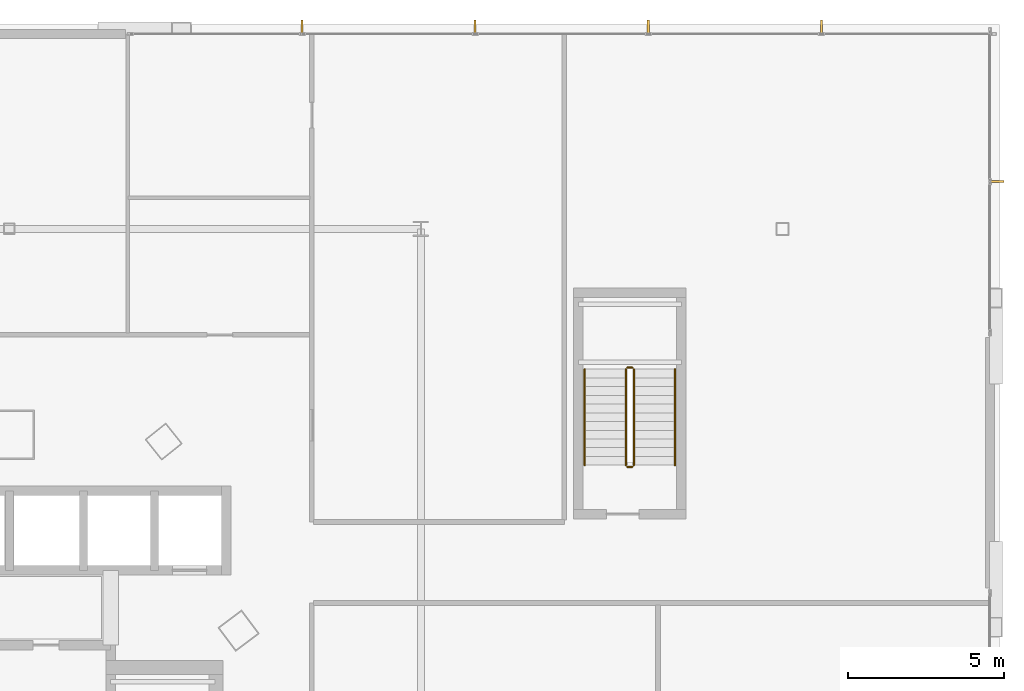
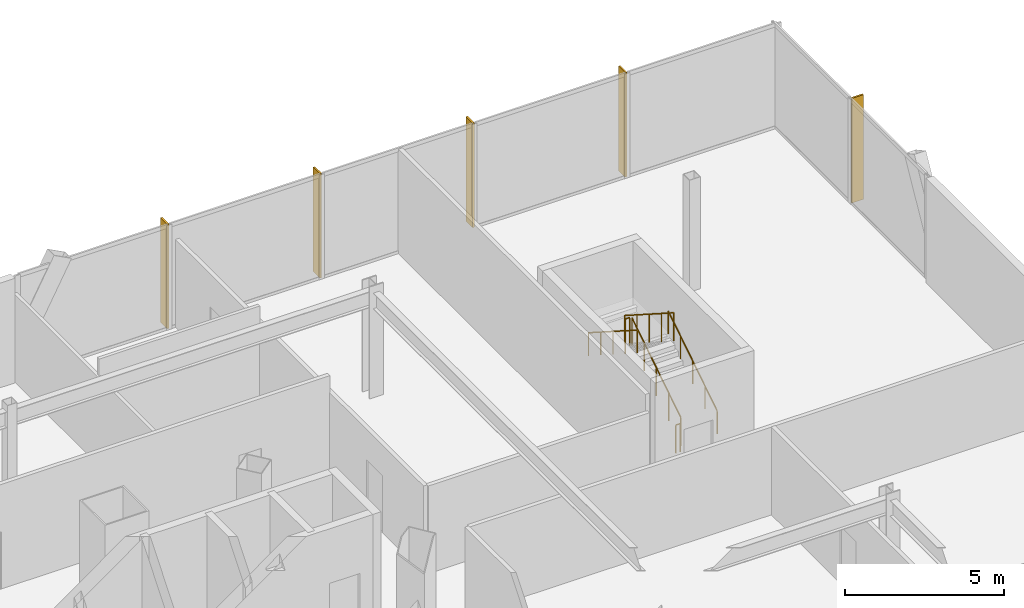
# One storey, part 42 of 42: 6 railings, 5 shading devices.
"""IFC4 building model written with IfcOpenShell, lengths in metres."""

from ifc_helpers import new_model, si_unit, direction, frame, origin, origin_2d, place, context, subcontext, project, spatial, rectangle, circle, extrude, material, layer, layer_set, type_object, element, save


model = new_model("IFC4")

# Units and contexts
model_context = context("Model", 3, precision=1e-05, world=origin(), true_north=direction((0.0, 1.0)))
body_context = subcontext(model_context, "Body", "Model", "MODEL_VIEW")
ifc_project = project(units=[si_unit("LENGTHUNIT", "METRE"), si_unit("AREAUNIT", "SQUARE_METRE"), si_unit("VOLUMEUNIT", "CUBIC_METRE"), si_unit("PLANEANGLEUNIT", "RADIAN"), si_unit("MASSUNIT", "GRAM", prefix="KILO")], contexts=[model_context])

# Site, building, storey
site_placement = place(None, origin())
site = spatial("IfcSite", under=ifc_project, at=site_placement, CompositionType="ELEMENT")
building_placement = place(site_placement, origin())
building = spatial("IfcBuilding", under=site, at=building_placement, Name="Orvanel Arch Residences", CompositionType="ELEMENT")
storey_placement = place(building_placement, frame((0.0, 0.0, 5.5)))
storey = spatial("IfcBuildingStorey", under=building, at=storey_placement, Name="L01", CompositionType="ELEMENT", Elevation=5.5)

# Shading devices
ifc_material_1 = material(Name="Bronze-anodised aluminium AA6063-T6", Category="aluminium")
ifc_layer = layer(ifc_material_1, 0.06494140625)
ifc_layer_set = layer_set([ifc_layer], Name="Bronze-anodised aluminium AA6063-T6")
shading_device_type = type_object("IfcShadingDeviceType", Name="FIN-BRZ-420", PredefinedType="USERDEFINED", material=ifc_layer_set)
for number, where, z_axis, x_axis, name in (
    (1, (59.0400390625, 54.489013671875, 0.0), (0.0, 0.0, 1.0), (0.0, 1.0, 0.0), "L01 Anodised Bronze Mullion FIN 01"),
    (2, (53.489990234375, 54.489013671875, 0.0), (0.0, 0.0, 1.0), (0.0, 1.0, 0.0), "L01 Anodised Bronze Mullion FIN 02"),
    (3, (47.93994140625, 54.489013671875, 0.0), (0.0, 0.0, 1.0), (0.0, 1.0, 0.0), "L01 Anodised Bronze Mullion FIN 03"),
    (4, (42.389892578125, 54.489013671875, 0.0), (0.0, 0.0, 1.0), (0.0, 1.0, 0.0), "L01 Anodised Bronze Mullion FIN 04"),
    (5, (64.68994140625, 49.514892578125, 0.0), (0.0, 0.0, 1.0), (1.0, 0.0, 0.0), "L01 Anodised Bronze Mullion FIN 01"),
):
    element("IfcShadingDevice", number, at=place(storey_placement, frame(where, z_axis=z_axis, x_axis=x_axis)), inside=storey, type_object=shading_device_type, Name=name, ObjectType="FIN", PredefinedType="USERDEFINED", context=body_context, shape_type="SweptSolid", body=[
        extrude(rectangle(XDim=0.419921875, YDim=0.06494140625, at=origin_2d()), origin(), (0.0, 0.0, 1.0), 4.02001953125),
    ])

# Railings
ifc_material_2 = material(Name="Structural steel AS/NZS 1163 C350L0 (Grade 350)", Category="steel")
railing_type_1 = type_object("IfcRailingType", Name="RL-STAIR-GUARD", PredefinedType="GUARDRAIL", material=ifc_material_2)
railing_1_placement = place(storey_placement, frame((53.030029296875, 40.419921875, 0.17919921875)))
element("IfcRailing", 6, at=railing_1_placement, inside=storey, type_object=railing_type_1, Name="L01 ST-4 stair guard 1", PredefinedType="GUARDRAIL", context=body_context, shape_type="SweptSolid", body=[
    extrude(circle(Radius=0.02392578125, at=origin_2d()), frame((0.0, 0.001220703125, 1.076904296875), z_axis=(0.0, 0.842339298311, 0.538947591627), x_axis=(-1.0, 0.0, 0.0)), (0.0, 0.0, 1.0), 3.653564453125),
    extrude(circle(Radius=0.02099609375, at=origin_2d()), origin(), (0.0, 0.0, 1.0), 1.050048828125),
    extrude(circle(Radius=0.02099609375, at=origin_2d()), frame((0.0, 0.77001953125, 0.49267578125)), (0.0, 0.0, 1.0), 1.050048828125),
    extrude(circle(Radius=0.02099609375, at=origin_2d()), frame((0.0, 1.5400390625, 0.9853515625)), (0.0, 0.0, 1.0), 1.050048828125),
    extrude(circle(Radius=0.02099609375, at=origin_2d()), frame((0.0, 2.31005859375, 1.47802734375)), (0.0, 0.0, 1.0), 1.050048828125),
    extrude(circle(Radius=0.02099609375, at=origin_2d()), frame((0.0, 3.080078125, 1.970703125)), (0.0, 0.0, 1.0), 1.050048828125),
])
railing_2_placement = place(storey_placement, frame((52.97998046875, 43.550048828125, 2.14990234375)))
element("IfcRailing", 7, at=railing_2_placement, inside=storey, type_object=railing_type_1, Name="L01 ST-4 stair guard 2", PredefinedType="GUARDRAIL", context=body_context, shape_type="SweptSolid", body=[
    extrude(circle(Radius=0.02392578125, at=origin_2d()), frame((-0.00146484375, 0.0, 1.076171875), z_axis=(-1.0, 0.0, 0.0), x_axis=(0.0, -1.0, 0.0)), (0.0, 0.0, 1.0), 0.156982421875),
    extrude(circle(Radius=0.02099609375, at=origin_2d()), origin(), (0.0, 0.0, 1.0), 1.050048828125),
    extrude(circle(Radius=0.02099609375, at=origin_2d()), frame((-0.159912109375, 0.0, 0.0)), (0.0, 0.0, 1.0), 1.050048828125),
])
railing_3_placement = place(storey_placement, frame((52.77001953125, 43.5, 2.3291015625)))
element("IfcRailing", 8, at=railing_3_placement, inside=storey, type_object=railing_type_1, Name="L01 ST-4 stair guard 3", PredefinedType="GUARDRAIL", context=body_context, shape_type="SweptSolid", body=[
    extrude(circle(Radius=0.02392578125, at=origin_2d()), frame((0.0, -0.001220703125, 1.076904296875), z_axis=(0.0, -0.842308987159, 0.53899496301), x_axis=(1.0, 0.0, 0.0)), (0.0, 0.0, 1.0), 3.65380859375),
    extrude(circle(Radius=0.02099609375, at=origin_2d()), origin(), (0.0, 0.0, 1.0), 1.050048828125),
    extrude(circle(Radius=0.02099609375, at=origin_2d()), frame((0.0, -0.77001953125, 0.49267578125)), (0.0, 0.0, 1.0), 1.050048828125),
    extrude(circle(Radius=0.02099609375, at=origin_2d()), frame((0.0, -1.5400390625, 0.9853515625)), (0.0, 0.0, 1.0), 1.050048828125),
    extrude(circle(Radius=0.02099609375, at=origin_2d()), frame((0.0, -2.31005859375, 1.478271484375)), (0.0, 0.0, 1.0), 1.050048828125),
    extrude(circle(Radius=0.02099609375, at=origin_2d()), frame((0.0, -3.080078125, 1.970947265625)), (0.0, 0.0, 1.0), 1.050048828125),
])
railing_4_placement = place(storey_placement, frame((52.97998046875, 40.3701171875, 0.0)))
element("IfcRailing", 9, at=railing_4_placement, inside=storey, type_object=railing_type_1, Name="L01 ST-4 stair guard 4", PredefinedType="GUARDRAIL", context=body_context, shape_type="SweptSolid", body=[
    extrude(circle(Radius=0.02392578125, at=origin_2d()), frame((-0.00146484375, 0.0, 1.076171875), z_axis=(-1.0, 0.0, 0.0), x_axis=(0.0, -1.0, 0.0)), (0.0, 0.0, 1.0), 0.156982421875),
    extrude(circle(Radius=0.02099609375, at=origin_2d()), origin(), (0.0, 0.0, 1.0), 1.050048828125),
    extrude(circle(Radius=0.02099609375, at=origin_2d()), frame((-0.159912109375, 0.0, 0.0)), (0.0, 0.0, 1.0), 1.050048828125),
])
railing_type_2 = type_object("IfcRailingType", Name="RL-STAIR-HAND", PredefinedType="HANDRAIL", material=ifc_material_2)
railing_5_placement = place(storey_placement, frame((54.35009765625, 40.419921875, 0.17919921875)))
element("IfcRailing", 10, at=railing_5_placement, inside=storey, type_object=railing_type_2, Name="L01 ST-4 stair handrail 1", PredefinedType="HANDRAIL", context=body_context, shape_type="SweptSolid", body=[
    extrude(circle(Radius=0.02392578125, at=origin_2d()), frame((0.0, 0.001220703125, 0.876708984375), z_axis=(0.0, 0.842339298311, 0.538947591627), x_axis=(-1.0, 0.0, 0.0)), (0.0, 0.0, 1.0), 3.653564453125),
    extrude(circle(Radius=0.02099609375, at=origin_2d()), origin(), (0.0, 0.0, 1.0), 0.849853515625),
    extrude(circle(Radius=0.02099609375, at=origin_2d()), frame((0.0, 0.77001953125, 0.49267578125)), (0.0, 0.0, 1.0), 0.849853515625),
    extrude(circle(Radius=0.02099609375, at=origin_2d()), frame((0.0, 1.5400390625, 0.9853515625)), (0.0, 0.0, 1.0), 0.849853515625),
    extrude(circle(Radius=0.02099609375, at=origin_2d()), frame((0.0, 2.31005859375, 1.47802734375)), (0.0, 0.0, 1.0), 0.849853515625),
    extrude(circle(Radius=0.02099609375, at=origin_2d()), frame((0.0, 3.080078125, 1.970703125)), (0.0, 0.0, 1.0), 0.849853515625),
])
railing_6_placement = place(storey_placement, frame((51.449951171875, 43.5, 2.3291015625)))
element("IfcRailing", 11, at=railing_6_placement, inside=storey, type_object=railing_type_2, Name="L01 ST-4 stair handrail 2", PredefinedType="HANDRAIL", context=body_context, shape_type="SweptSolid", body=[
    extrude(circle(Radius=0.02392578125, at=origin_2d()), frame((0.0, -0.001220703125, 0.876708984375), z_axis=(0.0, -0.842308987159, 0.53899496301), x_axis=(1.0, 0.0, 0.0)), (0.0, 0.0, 1.0), 3.65380859375),
    extrude(circle(Radius=0.02099609375, at=origin_2d()), origin(), (0.0, 0.0, 1.0), 0.849853515625),
    extrude(circle(Radius=0.02099609375, at=origin_2d()), frame((0.0, -0.77001953125, 0.49267578125)), (0.0, 0.0, 1.0), 0.849853515625),
    extrude(circle(Radius=0.02099609375, at=origin_2d()), frame((0.0, -1.5400390625, 0.9853515625)), (0.0, 0.0, 1.0), 0.849853515625),
    extrude(circle(Radius=0.02099609375, at=origin_2d()), frame((0.0, -2.31005859375, 1.478271484375)), (0.0, 0.0, 1.0), 0.849853515625),
    extrude(circle(Radius=0.02099609375, at=origin_2d()), frame((0.0, -3.080078125, 1.970947265625)), (0.0, 0.0, 1.0), 0.849853515625),
])

save(model, "model.ifc")
